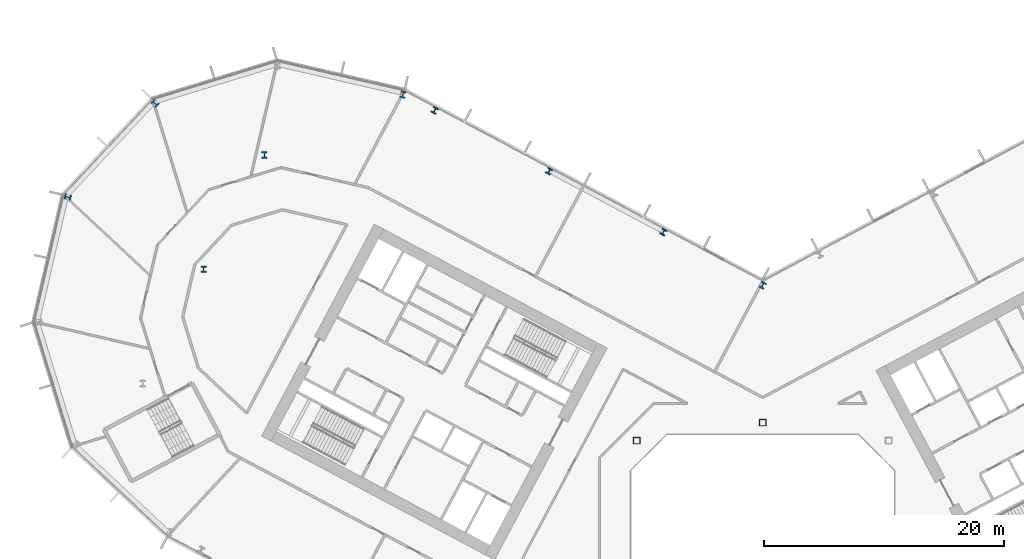
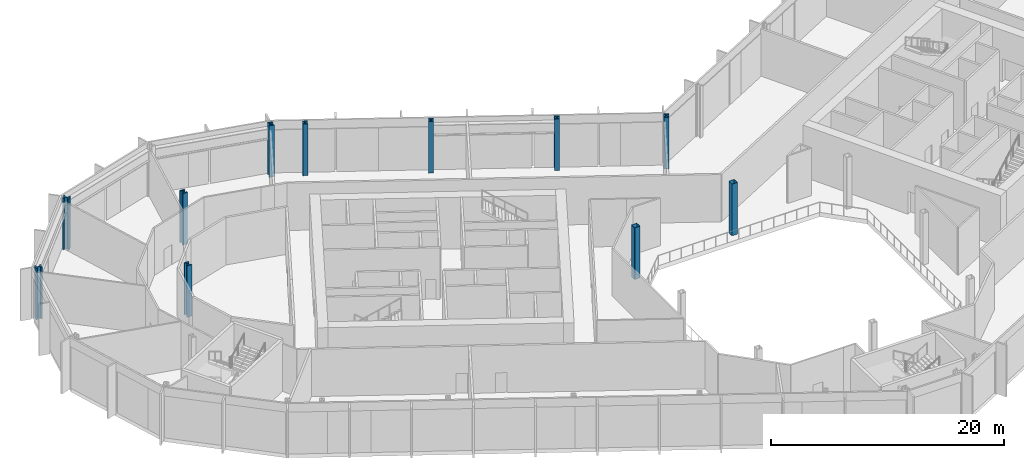
# One storey, part 2 of 30: 11 columns.
"""IFC4 building model written with IfcOpenShell, lengths in metres."""

from ifc_helpers import new_model, si_unit, direction, frame, origin, origin_2d, place, context, subcontext, project, spatial, hollow_rectangle, i_section, extrude, material, material_profile, profile_set, type_object, element, save


model = new_model("IFC4")

# Units and contexts
model_context = context("Model", 3, precision=1e-05, world=origin(), true_north=direction((0.0, 1.0)))
body_context = subcontext(model_context, "Body", "Model", "MODEL_VIEW")
ifc_project = project(units=[si_unit("LENGTHUNIT", "METRE"), si_unit("AREAUNIT", "SQUARE_METRE"), si_unit("VOLUMEUNIT", "CUBIC_METRE"), si_unit("PLANEANGLEUNIT", "RADIAN"), si_unit("MASSUNIT", "GRAM", prefix="KILO")], contexts=[model_context])

# Site, building, storey
site_placement = place(None, origin())
site = spatial("IfcSite", under=ifc_project, at=site_placement, CompositionType="ELEMENT")
building_placement = place(site_placement, origin())
building = spatial("IfcBuilding", under=site, at=building_placement, Name="Cormorant Relay Tower", CompositionType="ELEMENT")
storey_placement = place(building_placement, frame((0.0, 0.0, 44.60009765625)))
storey = spatial("IfcBuildingStorey", under=building, at=storey_placement, Name="L08", CompositionType="ELEMENT", Elevation=44.60009765625)

# Columns
ifc_material_1 = material(Name="Steel ASTM A1085 Grade A (Fy 345 MPa)", Category="steel")
ifc_material_profile_1 = material_profile(ifc_material_1, hollow_rectangle(XDim=0.558837890625, YDim=0.558837890625, WallThickness=0.023681640625, InnerFilletRadius=0.01171875, OuterFilletRadius=0.035400390625, at=origin_2d()), Name="HSS559x559x24")
ifc_profile_set_1 = profile_set([ifc_material_profile_1], Name="Steel ASTM A1085 Grade A (Fy 345 MPa)")
column_type_1 = type_object("IfcColumnType", Name="Column HSS559x559x24", PredefinedType="COLUMN", material=ifc_profile_set_1)
for number, where, z_axis, x_axis, name in (
    (1, (-10.5, 10.5, 0.0), (0.0, 0.0, 1.0), (1.0, 0.0, 0.0), "Column L08-022"),
    (2, (0.0, 12.0, 0.0), (0.0, 0.0, 1.0), (1.0, 0.0, 0.0), "Column L08-024"),
):
    element("IfcColumn", number, at=place(storey_placement, frame(where, z_axis=z_axis, x_axis=x_axis)), inside=storey, type_object=column_type_1, Name=name, PredefinedType="COLUMN", context=body_context, shape_type="SweptSolid", body=[
        extrude(hollow_rectangle(XDim=0.558837890625, YDim=0.558837890625, WallThickness=0.023681640625, InnerFilletRadius=0.01171875, OuterFilletRadius=0.035400390625, at=origin_2d()), origin(), (0.0, 0.0, 1.0), 5.39990234375),
    ])
ifc_material_2 = material(Name="Steel ASTM A992 (Fy 345 MPa)", Category="steel")
ifc_material_profile_2 = material_profile(ifc_material_2, i_section(OverallWidth=0.45458984375, OverallDepth=0.569091796875, WebThickness=0.077880859375, FlangeThickness=0.124755859375, FilletRadius=0.015380859375, at=origin_2d()), Name="W360x1086")
ifc_profile_set_2 = profile_set([ifc_material_profile_2], Name="Steel ASTM A992 (Fy 345 MPa)")
column_type_2 = type_object("IfcColumnType", Name="Column W360x1086", PredefinedType="COLUMN", material=ifc_profile_set_2)
for number, where, z_axis, x_axis, name in (
    (3, (0.0, 23.4541015625, 0.0), (0.0, 0.0, 1.0), (-0.882947592859, 0.469471562786, 0.0), "Column L08-032"),
    (4, (-46.6201171875, 24.7880859375, 0.0), (0.0, 0.0, 1.0), (1.0, 0.0, 0.0), "Column L08-034"),
    (5, (-57.93896484375, 30.806884765625, 0.0), (0.0, 0.0, 1.0), (-0.224951054344, -0.974370064785, 0.0), "Column L08-038"),
    (6, (-41.549072265625, 34.323974609375, 0.0), (0.0, 0.0, 1.0), (1.0, 0.0, 0.0), "Column L08-043"),
    (7, (-50.659912109375, 38.613037109375, 0.0), (0.0, 0.0, 1.0), (-0.681998360062, -0.731353701619, 0.0), "Column L08-047"),
    (8, (-29.992919921875, 39.35009765625, 0.0), (0.0, 0.0, 1.0), (-0.974370064785, 0.224951054344, 0.0), "Column L08-048"),
):
    element("IfcColumn", number, at=place(storey_placement, frame(where, z_axis=z_axis, x_axis=x_axis)), inside=storey, type_object=column_type_2, Name=name, PredefinedType="COLUMN", context=body_context, shape_type="SweptSolid", body=[
        extrude(i_section(OverallWidth=0.45458984375, OverallDepth=0.569091796875, WebThickness=0.077880859375, FlangeThickness=0.124755859375, FilletRadius=0.015380859375, at=origin_2d()), origin(), (0.0, 0.0, 1.0), 5.39990234375),
    ])
ifc_material_3 = material(Name="Steel ASTM A992 (Fy 345 MPa)", Category="steel")
ifc_material_profile_3 = material_profile(ifc_material_3, i_section(OverallWidth=0.43701171875, OverallDepth=0.51318359375, WebThickness=0.060546875, FlangeThickness=0.096923828125, FilletRadius=0.015380859375, at=origin_2d()), Name="W360x818")
ifc_profile_set_3 = profile_set([ifc_material_profile_3], Name="Steel ASTM A992 (Fy 345 MPa)")
column_type_3 = type_object("IfcColumnType", Name="Column W360x818", PredefinedType="COLUMN", material=ifc_profile_set_3)
for number, where, z_axis, x_axis, name in (
    (9, (-8.27490234375, 27.889892578125, 0.0), (0.0, 0.0, 1.0), (-0.882947592859, 0.469471562786, 0.0), "Column L08-036"),
    (10, (-17.81103515625, 32.9599609375, 0.0), (0.0, 0.0, 1.0), (-0.882947592859, 0.469471562786, 0.0), "Column L08-041"),
    (11, (-27.346923828125, 38.030029296875, 0.0), (0.0, 0.0, 1.0), (-0.882947592859, 0.469471562786, 0.0), "Column L08-046"),
):
    element("IfcColumn", number, at=place(storey_placement, frame(where, z_axis=z_axis, x_axis=x_axis)), inside=storey, type_object=column_type_3, Name=name, PredefinedType="COLUMN", context=body_context, shape_type="SweptSolid", body=[
        extrude(i_section(OverallWidth=0.43701171875, OverallDepth=0.51318359375, WebThickness=0.060546875, FlangeThickness=0.096923828125, FilletRadius=0.015380859375, at=origin_2d()), origin(), (0.0, 0.0, 1.0), 5.39990234375),
    ])

save(model, "model.ifc")
